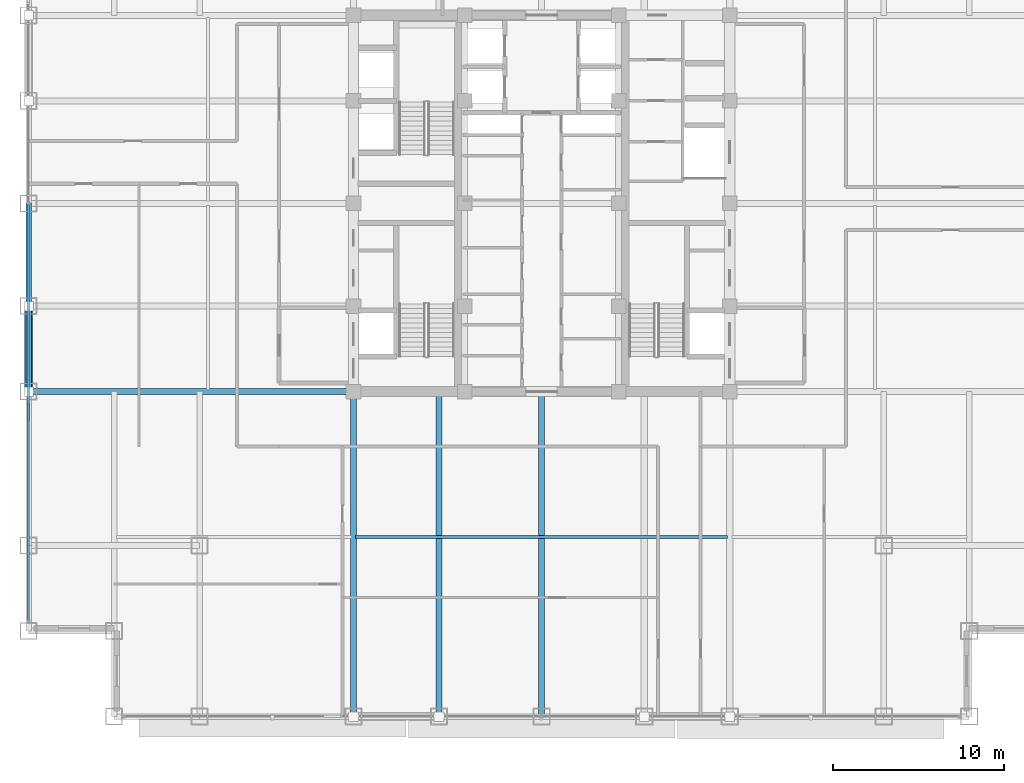
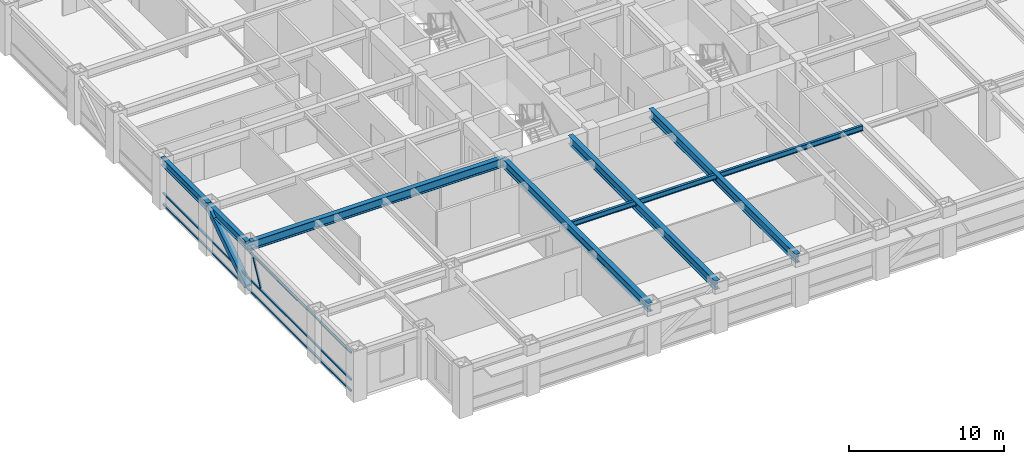
# One storey, part 5 of 29: 7 beams, 5 members, 1 element without a shape of its own.
"""IFC4 building model written with IfcOpenShell, lengths in metres."""

from ifc_helpers import new_model, si_unit, direction, frame, origin, origin_2d, place, context, subcontext, project, spatial, hollow_rectangle, i_section, extrude, source, transform, mapped, material, material_profile, profile_set, type_object, element, aggregate, save


model = new_model("IFC4")

# Units and contexts
model_context = context("Model", 3, precision=1e-05, world=origin(), true_north=direction((0.0, 1.0)))
body_context = subcontext(model_context, "Body", "Model", "MODEL_VIEW")
ifc_project = project(units=[si_unit("LENGTHUNIT", "METRE"), si_unit("AREAUNIT", "SQUARE_METRE"), si_unit("VOLUMEUNIT", "CUBIC_METRE"), si_unit("PLANEANGLEUNIT", "RADIAN"), si_unit("MASSUNIT", "GRAM", prefix="KILO")], contexts=[model_context])

# Site, building, storey
site_placement = place(None, origin())
site = spatial("IfcSite", under=ifc_project, at=site_placement, CompositionType="ELEMENT")
building_placement = place(site_placement, origin())
building = spatial("IfcBuilding", under=site, at=building_placement, Name="Khorayat Bourse Tower", CompositionType="ELEMENT")
storey_placement = place(building_placement, frame((0.0, 0.0, 235.10009765625)))
storey = spatial("IfcBuildingStorey", under=building, at=storey_placement, Name="L55", CompositionType="ELEMENT", Elevation=235.10009765625)

# Beams
ifc_material_1 = material(Name="Steel ASTM A992 Grade 50", Category="steel")
ifc_material_profile_1 = material_profile(ifc_material_1, i_section(OverallWidth=0.180908203125, OverallDepth=0.4169921875, WebThickness=0.010986328125, FlangeThickness=0.018310546875, FilletRadius=0.011962890625, at=origin_2d()), Name="W410X85")
ifc_profile_set_1 = profile_set([ifc_material_profile_1], Name="Steel ASTM A992 Grade 50")
beam_type_1 = type_object("IfcBeamType", Name="BM-JOIST-410", PredefinedType="JOIST", material=ifc_profile_set_1)
shared_shape_1 = source(origin(), body_context, "Body", "SweptSolid", [
    extrude(i_section(OverallWidth=0.180908203125, OverallDepth=0.4169921875, WebThickness=0.010986328125, FlangeThickness=0.018310546875, FilletRadius=0.011962890625, at=origin_2d()), origin(), (0.0, 0.0, 1.0), 21.740234375),
])
beam_1_placement = place(storey_placement, frame((-10.8701171875, -19.5, 3.5712890625), z_axis=(1.0, 0.0, 0.0), x_axis=(0.0, 1.0, 0.0)))
element("IfcBeam", 1, at=beam_1_placement, inside=storey, type_object=beam_type_1, Name="L55 BM-JOIST-410 BM-L55-JSTX-097", PredefinedType="JOIST", context=body_context, shape_type="MappedRepresentation", body=[
    mapped(shared_shape_1, transform((0.0, 0.0, 0.0), scale=1.0)),
])
ifc_material_profile_2 = material_profile(ifc_material_1, i_section(OverallWidth=0.324951171875, OverallDepth=0.615966796875, WebThickness=0.013916015625, FlangeThickness=0.021484375, FilletRadius=0.01611328125, at=origin_2d()), Name="W610X174")
ifc_profile_set_2 = profile_set([ifc_material_profile_2], Name="Steel ASTM A992 Grade 50")
beam_type_2 = type_object("IfcBeamType", Name="BM-SPAN-610", PredefinedType="SPANDREL", material=ifc_profile_set_2)
shared_shape_2 = source(origin(), body_context, "Body", "SweptSolid", [
    extrude(i_section(OverallWidth=0.324951171875, OverallDepth=0.615966796875, WebThickness=0.013916015625, FlangeThickness=0.021484375, FilletRadius=0.01611328125, at=origin_2d()), origin(), (0.0, 0.0, 1.0), 5.0),
])
beam_2_placement = place(storey_placement, frame((-30.0, -11.0, 3.471923828125), z_axis=(0.0, 1.0, 0.0), x_axis=(-1.0, 0.0, 0.0)))
element("IfcBeam", 2, at=beam_2_placement, inside=storey, type_object=beam_type_2, Name="L55 BM-SPAN-610 BM-L55-SPN-059", PredefinedType="SPANDREL", context=body_context, shape_type="MappedRepresentation", body=[
    mapped(shared_shape_2, transform((0.0, 0.0, 0.0), scale=1.0)),
])
shared_shape_3 = source(origin(), body_context, "Body", "SweptSolid", [
    extrude(i_section(OverallWidth=0.324951171875, OverallDepth=0.615966796875, WebThickness=0.013916015625, FlangeThickness=0.021484375, FilletRadius=0.01611328125, at=origin_2d()), origin(), (0.0, 0.0, 1.0), 6.0),
])
beam_3_placement = place(storey_placement, frame((-30.0, -6.0, 3.471923828125), z_axis=(0.0, 1.0, 0.0), x_axis=(-1.0, 0.0, 0.0)))
element("IfcBeam", 3, at=beam_3_placement, inside=storey, type_object=beam_type_2, Name="L55 BM-SPAN-610 BM-L55-SPN-058", PredefinedType="SPANDREL", context=body_context, shape_type="MappedRepresentation", body=[
    mapped(shared_shape_3, transform((0.0, 0.0, 0.0), scale=1.0)),
])
ifc_material_profile_3 = material_profile(ifc_material_1, i_section(OverallWidth=0.35498046875, OverallDepth=0.695068359375, WebThickness=0.015380859375, FlangeThickness=0.02490234375, FilletRadius=0.01806640625, at=origin_2d()), Name="W690X217")
ifc_profile_set_3 = profile_set([ifc_material_profile_3], Name="Steel ASTM A992 Grade 50")
beam_type_3 = type_object("IfcBeamType", Name="BM-GIRD-690", PredefinedType="BEAM", material=ifc_profile_set_3)
shared_shape_4 = source(origin(), body_context, "Body", "SweptSolid", [
    extrude(i_section(OverallWidth=0.35498046875, OverallDepth=0.695068359375, WebThickness=0.015380859375, FlangeThickness=0.02490234375, FilletRadius=0.01806640625, at=origin_2d()), origin(), (0.0, 0.0, 1.0), 19.0),
])
for number, where, z_axis, x_axis, name in (
    (4, (-11.0, -30.0, 3.432373046875), (0.0, 1.0, 0.0), (-1.0, 0.0, 0.0), "L55 BM-GIRD-690 BM-L55-RADY-065"),
    (5, (-6.0, -30.0, 3.432373046875), (0.0, 1.0, 0.0), (-1.0, 0.0, 0.0), "L55 BM-GIRD-690 BM-L55-RADY-067"),
    (6, (0.0, -30.0, 3.432373046875), (0.0, 1.0, 0.0), (-1.0, 0.0, 0.0), "L55 BM-GIRD-690 BM-L55-RADY-069"),
    (7, (-30.0, -11.0, 3.432373046875), (1.0, 0.0, 0.0), (0.0, 1.0, 0.0), "L55 BM-GIRD-690 BM-L55-RADX-075"),
):
    element("IfcBeam", number, at=place(storey_placement, frame(where, z_axis=z_axis, x_axis=x_axis)), inside=storey, type_object=beam_type_3, Name=name, PredefinedType="BEAM", context=body_context, shape_type="MappedRepresentation", body=[
        mapped(shared_shape_4, transform((0.0, 0.0, 0.0), scale=1.0)),
    ])

# Member
ifc_material_2 = material(Name="Steel EN 10025-4 S460M", Category="steel")
ifc_material_profile_4 = material_profile(ifc_material_2, hollow_rectangle(XDim=0.449951171875, YDim=0.449951171875, WallThickness=0.02490234375, at=origin_2d()), Name="HSS 450x450x25")
ifc_profile_set_4 = profile_set([ifc_material_profile_4], Name="Steel EN 10025-4 S460M")
member_type_1 = type_object("IfcMemberType", Name="MBR-TUBE-450", PredefinedType="BRACE", material=ifc_profile_set_4)
shared_shape_5 = source(origin(), body_context, "Body", "SweptSolid", [
    extrude(hollow_rectangle(XDim=0.449951171875, YDim=0.449951171875, WallThickness=0.02490234375, at=origin_2d()), origin(), (0.0, 0.0, 1.0), 5.979736328125),
])
member_1_placement = place(storey_placement, frame((-30.0, -11.0, 0.25), z_axis=(0.0, 0.836160261256, 0.548485202623), x_axis=(-1.0, 0.0, 0.0)))
element("IfcMember", 8, at=member_1_placement, inside=storey, type_object=member_type_1, Name="L55 Perimeter Tube Brace 05", PredefinedType="BRACE", context=body_context, shape_type="MappedRepresentation", body=[
    mapped(shared_shape_5, transform((0.0, 0.0, 0.0), scale=1.0)),
])

# Curtain wall, members
ifc_material_3 = material(Name="Aluminium EN AW-6063 T6", Category="aluminium")
curtain_wall_type = type_object("IfcCurtainWallType", Name="CW-SYS-03", PredefinedType="NOTDEFINED", material=ifc_material_3)
curtain_wall_placement = place(storey_placement, origin())
curtain_wall = element("IfcCurtainWall", 9, at=curtain_wall_placement, inside=storey, type_object=curtain_wall_type, Name="L55 Curtain Wall CW-L55-W1", PredefinedType="NOTDEFINED")
ifc_material_profile_5 = material_profile(ifc_material_3, hollow_rectangle(XDim=0.1201171875, YDim=0.1201171875, WallThickness=0.0048828125, at=origin_2d()), Name="ALU 120x120x5")
ifc_profile_set_5 = profile_set([ifc_material_profile_5], Name="Aluminium EN AW-6063 T6")
member_type_2 = type_object("IfcMemberType", Name="CWM-DIAG-120", PredefinedType="MULLION", material=ifc_profile_set_5)
shared_shape_6 = source(origin(), body_context, "Body", "SweptSolid", [
    extrude(hollow_rectangle(XDim=0.1201171875, YDim=0.1201171875, WallThickness=0.0048828125, at=origin_2d()), origin(), (0.0, 0.0, 1.0), 2.079345703125),
])
member_2_placement = place(storey_placement, frame((-30.0, -12.67919921875, 1.08984375), z_axis=(0.0, 0.465760949701, 0.884910581773), x_axis=(-1.0, 0.0, 0.0)))
member_2 = element("IfcMember", 10, at=member_2_placement, type_object=member_type_2, Name="CW-L55-W1 Faceted Diagonal Mullion 1", PredefinedType="MULLION", context=body_context, shape_type="MappedRepresentation", body=[
    mapped(shared_shape_6, transform((0.0, 0.0, 0.0), scale=1.0)),
])
ifc_material_profile_6 = material_profile(ifc_material_3, hollow_rectangle(XDim=0.1201171875, YDim=0.1201171875, WallThickness=0.0048828125, at=origin_2d()), Name="ALU 120x120x5")
ifc_profile_set_6 = profile_set([ifc_material_profile_6], Name="Aluminium EN AW-6063 T6")
member_type_3 = type_object("IfcMemberType", Name="CWT-HORZ-120", PredefinedType="USERDEFINED", material=ifc_profile_set_6)
shared_shape_7 = source(origin(), body_context, "Body", "SweptSolid", [
    extrude(hollow_rectangle(XDim=0.1201171875, YDim=0.1201171875, WallThickness=0.0048828125, at=origin_2d()), origin(), (0.0, 0.0, 1.0), 24.27001953125),
])
member_3_placement = place(storey_placement, frame((-30.0, -24.330078125, 0.059814453125), z_axis=(0.0, 1.0, 0.0), x_axis=(-1.0, 0.0, 0.0)))
member_3 = element("IfcMember", 11, at=member_3_placement, type_object=member_type_3, Name="CW-L55-W1 Horizontal Transom 1-1", ObjectType="TRANSOM", PredefinedType="USERDEFINED", context=body_context, shape_type="MappedRepresentation", body=[
    mapped(shared_shape_7, transform((0.0, 0.0, 0.0), scale=1.0)),
])
member_4_placement = place(storey_placement, frame((-30.0, -24.330078125, 0.949951171875), z_axis=(0.0, 1.0, 0.0), x_axis=(-1.0, 0.0, 0.0)))
member_4 = element("IfcMember", 12, at=member_4_placement, type_object=member_type_3, Name="CW-L55-W1 Horizontal Transom 1-2", ObjectType="TRANSOM", PredefinedType="USERDEFINED", context=body_context, shape_type="MappedRepresentation", body=[
    mapped(shared_shape_7, transform((0.0, 0.0, 0.0), scale=1.0)),
])
member_5_placement = place(storey_placement, frame((-30.0, -24.330078125, 3.06982421875), z_axis=(0.0, 1.0, 0.0), x_axis=(-1.0, 0.0, 0.0)))
member_5 = element("IfcMember", 13, at=member_5_placement, type_object=member_type_3, Name="CW-L55-W1 Horizontal Transom 1-3", ObjectType="TRANSOM", PredefinedType="USERDEFINED", context=body_context, shape_type="MappedRepresentation", body=[
    mapped(shared_shape_7, transform((0.0, 0.0, 0.0), scale=1.0)),
])
aggregate(curtain_wall, [member_3, member_4, member_5, member_2])

save(model, "model.ifc")
